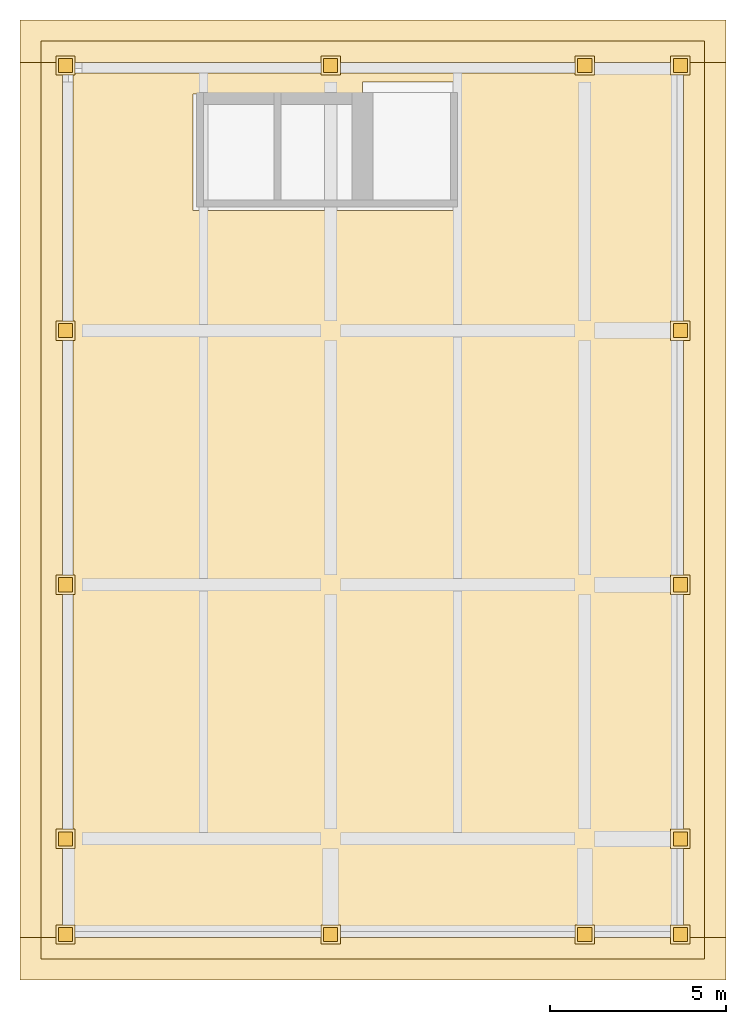
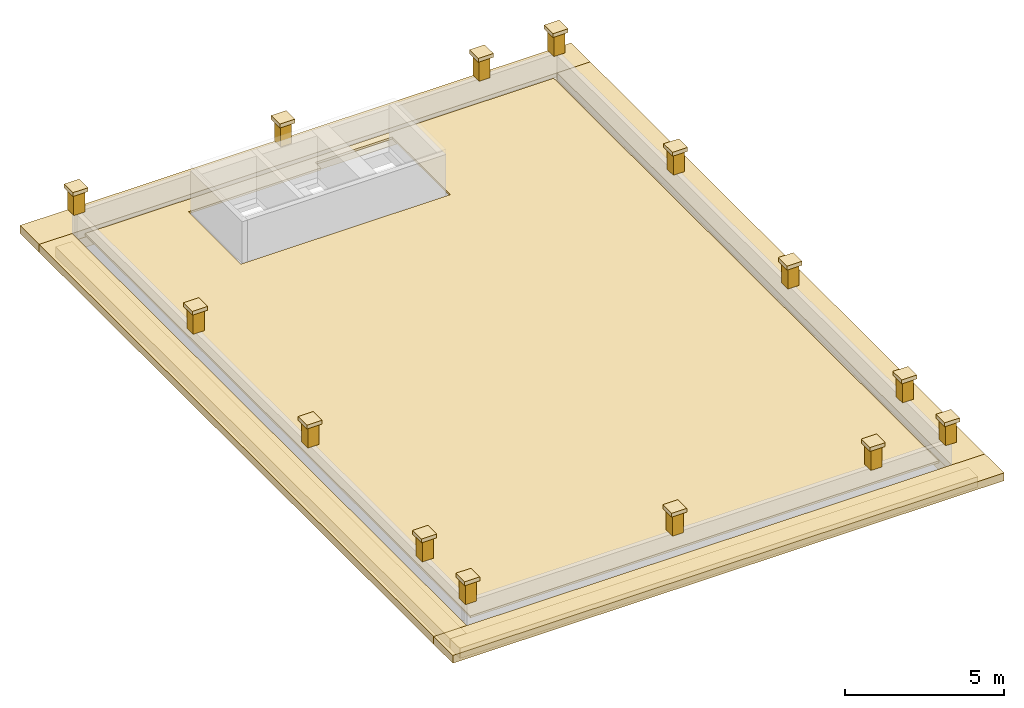
# One storey, part 2 of 2: 37 coverings.
"""IFC4 building model written with IfcOpenShell, lengths in metres."""

from ifc_helpers import new_model, si_unit, direction, frame, origin, origin_2d, place, context, subcontext, project, spatial, polyline, rectangle, outline, extrude, material, layer, layer_set, type_object, element, save


model = new_model("IFC4")

# Units and contexts
model_context = context("Model", 3, precision=1e-05, world=origin(), true_north=direction((0.0, 1.0)))
body_context = subcontext(model_context, "Body", "Model", "MODEL_VIEW")
ifc_project = project(units=[si_unit("LENGTHUNIT", "METRE"), si_unit("AREAUNIT", "SQUARE_METRE"), si_unit("VOLUMEUNIT", "CUBIC_METRE"), si_unit("PLANEANGLEUNIT", "RADIAN"), si_unit("MASSUNIT", "GRAM", prefix="KILO")], contexts=[model_context])

# Site, building, storey
site_placement = place(None, origin())
site = spatial("IfcSite", under=ifc_project, at=site_placement, CompositionType="ELEMENT")
building_placement = place(site_placement, origin())
building = spatial("IfcBuilding", under=site, at=building_placement, Name="Ussher Court Research Institute", CompositionType="ELEMENT")
storey_placement = place(building_placement, frame((0.0, 0.0, 45.60009765625)))
storey = spatial("IfcBuildingStorey", under=building, at=storey_placement, Name="ROOF", CompositionType="ELEMENT", Elevation=45.60009765625)

# Coverings
ifc_material_1 = material(Name="Limestone cornice", Category="masonry")
covering_type_1 = type_object("IfcCoveringType", Name="Cornice cove 600x400", PredefinedType="CLADDING", material=ifc_material_1)
covering_1_placement = place(storey_placement, frame((90.60009765625, 8.10009765625, -0.699951171875), z_axis=(0.0, 0.0, 1.0), x_axis=(1.0, 0.0, 0.0)))
element("IfcCovering", 1, at=covering_1_placement, inside=storey, type_object=covering_type_1, Name="Cornice CC2", PredefinedType="CLADDING", context=body_context, shape_type="SweptSolid", body=[
    extrude(rectangle(XDim=18.800048828125, YDim=0.60009765625, at=origin_2d()), origin(), (0.0, 0.0, 1.0), 0.39990234375),
])
covering_2_placement = place(storey_placement, frame((99.699951171875, 20.800048828125, -0.699951171875), z_axis=(0.0, 0.0, 1.0), x_axis=(0.0, 1.0, 0.0)))
element("IfcCovering", 2, at=covering_2_placement, inside=storey, type_object=covering_type_1, Name="Cornice CC2", PredefinedType="CLADDING", context=body_context, shape_type="SweptSolid", body=[
    extrude(rectangle(XDim=24.800048828125, YDim=0.60009765625, at=origin_2d()), origin(), (0.0, 0.0, 1.0), 0.39990234375),
])
covering_3_placement = place(storey_placement, frame((90.60009765625, 33.5, -0.699951171875), z_axis=(0.0, 0.0, 1.0), x_axis=(-1.0, 0.0, 0.0)))
element("IfcCovering", 3, at=covering_3_placement, inside=storey, type_object=covering_type_1, Name="Cornice CC2", PredefinedType="CLADDING", context=body_context, shape_type="SweptSolid", body=[
    extrude(rectangle(XDim=18.800048828125, YDim=0.60009765625, at=origin_2d()), origin(), (0.0, 0.0, 1.0), 0.39990234375),
])
covering_4_placement = place(storey_placement, frame((81.5, 20.800048828125, -0.699951171875), z_axis=(0.0, 0.0, 1.0), x_axis=(0.0, -1.0, 0.0)))
element("IfcCovering", 4, at=covering_4_placement, inside=storey, type_object=covering_type_1, Name="Cornice CC2", PredefinedType="CLADDING", context=body_context, shape_type="SweptSolid", body=[
    extrude(rectangle(XDim=24.800048828125, YDim=0.60009765625, at=origin_2d()), origin(), (0.0, 0.0, 1.0), 0.39990234375),
])
ifc_material_2 = material(Name="Limestone cornice", Category="masonry")
covering_type_2 = type_object("IfcCoveringType", Name="Cornice fascia 1200x300", PredefinedType="CLADDING", material=ifc_material_2)
covering_5_placement = place(storey_placement, frame((90.60009765625, 7.800048828125, -0.30029296875), z_axis=(0.0, 0.0, 1.0), x_axis=(1.0, 0.0, 0.0)))
element("IfcCovering", 5, at=covering_5_placement, inside=storey, type_object=covering_type_2, Name="Cornice CC1", PredefinedType="CLADDING", context=body_context, shape_type="SweptSolid", body=[
    extrude(rectangle(XDim=20.0, YDim=1.199951171875, at=origin_2d()), origin(), (0.0, 0.0, 1.0), 0.300048828125),
])
covering_6_placement = place(storey_placement, frame((100.0, 20.800048828125, -0.30029296875), z_axis=(0.0, 0.0, 1.0), x_axis=(0.0, 1.0, 0.0)))
element("IfcCovering", 6, at=covering_6_placement, inside=storey, type_object=covering_type_2, Name="Cornice CC1", PredefinedType="CLADDING", context=body_context, shape_type="SweptSolid", body=[
    extrude(rectangle(XDim=24.800048828125, YDim=1.199951171875, at=origin_2d()), origin(), (0.0, 0.0, 1.0), 0.300048828125),
])
covering_7_placement = place(storey_placement, frame((90.60009765625, 33.800048828125, -0.30029296875), z_axis=(0.0, 0.0, 1.0), x_axis=(-1.0, 0.0, 0.0)))
element("IfcCovering", 7, at=covering_7_placement, inside=storey, type_object=covering_type_2, Name="Cornice CC1", PredefinedType="CLADDING", context=body_context, shape_type="SweptSolid", body=[
    extrude(rectangle(XDim=20.0, YDim=1.199951171875, at=origin_2d()), origin(), (0.0, 0.0, 1.0), 0.300048828125),
])
covering_8_placement = place(storey_placement, frame((81.199951171875, 20.800048828125, -0.30029296875), z_axis=(0.0, 0.0, 1.0), x_axis=(0.0, -1.0, 0.0)))
element("IfcCovering", 8, at=covering_8_placement, inside=storey, type_object=covering_type_2, Name="Cornice CC1", PredefinedType="CLADDING", context=body_context, shape_type="SweptSolid", body=[
    extrude(rectangle(XDim=24.800048828125, YDim=1.199951171875, at=origin_2d()), origin(), (0.0, 0.0, 1.0), 0.300048828125),
])
ifc_material_3 = material(Name="Bituminous membrane with gravel ballast")
ifc_layer = layer(ifc_material_3, 0.080078125)
ifc_layer_set = layer_set([ifc_layer], Name="Bituminous membrane with gravel ballast")
covering_type_3 = type_object("IfcCoveringType", Name="Flat roof membrane and ballast 80", PredefinedType="ROOFING", material=ifc_layer_set)
covering_9_placement = place(storey_placement, origin())
element("IfcCovering", 9, at=covering_9_placement, inside=storey, type_object=covering_type_3, Name="Roof covering RC3 V4", PredefinedType="ROOFING", context=body_context, shape_type="SweptSolid", body=[
    extrude(outline(polyline([(82.10009765625, 8.699951171875), (82.10009765625, 32.89990234375), (99.10009765625, 32.89990234375), (99.10009765625, 8.699951171875), (82.10009765625, 8.699951171875)]), holes=[polyline([(85.5, 29.0), (87.699951171875, 29.0), (88.10009765625, 29.0), (90.300048828125, 29.0), (93.10009765625, 29.0), (93.10009765625, 32.64990234375), (90.300048828125, 32.64990234375), (90.300048828125, 32.300048828125), (88.10009765625, 32.300048828125), (87.699951171875, 32.300048828125), (85.5, 32.300048828125), (85.5, 29.0)])]), origin(), (0.0, 0.0, 1.0), 0.079833984375),
])
ifc_material_4 = material(Name="Limestone cornice", Category="masonry")
covering_type_4 = type_object("IfcCoveringType", Name="Parapet pier 400x400", PredefinedType="CLADDING", material=ifc_material_4)
for number, where, z_axis, x_axis, name in (
    (10, (81.889892578125, 8.489990234375, 0.89990234375), (0.0, 0.0, 1.0), (1.0, 0.0, 0.0), "Parapet pier CC11"),
    (11, (81.889892578125, 11.199951171875, 0.89990234375), (0.0, 0.0, 1.0), (1.0, 0.0, 0.0), "Parapet pier CC11"),
    (12, (81.889892578125, 18.39990234375, 0.89990234375), (0.0, 0.0, 1.0), (1.0, 0.0, 0.0), "Parapet pier CC11"),
    (13, (81.889892578125, 25.60009765625, 0.89990234375), (0.0, 0.0, 1.0), (1.0, 0.0, 0.0), "Parapet pier CC11"),
    (14, (81.889892578125, 33.110107421875, 0.89990234375), (0.0, 0.0, 1.0), (1.0, 0.0, 0.0), "Parapet pier CC11"),
    (15, (89.39990234375, 8.489990234375, 0.89990234375), (0.0, 0.0, 1.0), (1.0, 0.0, 0.0), "Parapet pier CC11"),
    (16, (89.39990234375, 33.110107421875, 0.89990234375), (0.0, 0.0, 1.0), (1.0, 0.0, 0.0), "Parapet pier CC11"),
    (17, (96.60009765625, 8.489990234375, 0.89990234375), (0.0, 0.0, 1.0), (1.0, 0.0, 0.0), "Parapet pier CC11"),
    (18, (96.60009765625, 33.110107421875, 0.89990234375), (0.0, 0.0, 1.0), (1.0, 0.0, 0.0), "Parapet pier CC11"),
    (19, (99.31005859375, 8.489990234375, 0.89990234375), (0.0, 0.0, 1.0), (1.0, 0.0, 0.0), "Parapet pier CC11"),
    (20, (99.31005859375, 11.199951171875, 0.89990234375), (0.0, 0.0, 1.0), (1.0, 0.0, 0.0), "Parapet pier CC11"),
    (21, (99.31005859375, 18.39990234375, 0.89990234375), (0.0, 0.0, 1.0), (1.0, 0.0, 0.0), "Parapet pier CC11"),
    (22, (99.31005859375, 25.60009765625, 0.89990234375), (0.0, 0.0, 1.0), (1.0, 0.0, 0.0), "Parapet pier CC11"),
    (23, (99.31005859375, 33.110107421875, 0.89990234375), (0.0, 0.0, 1.0), (1.0, 0.0, 0.0), "Parapet pier CC11"),
):
    element("IfcCovering", number, at=place(storey_placement, frame(where, z_axis=z_axis, x_axis=x_axis)), inside=storey, type_object=covering_type_4, Name=name, PredefinedType="CLADDING", context=body_context, shape_type="SweptSolid", body=[
        extrude(rectangle(XDim=0.39990234375, YDim=0.39990234375, at=origin_2d()), origin(), (0.0, 0.0, 1.0), 0.800048828125),
    ])
ifc_material_5 = material(Name="Limestone cornice", Category="masonry")
covering_type_5 = type_object("IfcCoveringType", Name="Pier cap 550x150", PredefinedType="CLADDING", material=ifc_material_5)
for number, where, z_axis, x_axis, name in (
    (24, (81.889892578125, 8.489990234375, 1.699951171875), (0.0, 0.0, 1.0), (1.0, 0.0, 0.0), "Pier cap CC12"),
    (25, (81.889892578125, 11.199951171875, 1.699951171875), (0.0, 0.0, 1.0), (1.0, 0.0, 0.0), "Pier cap CC12"),
    (26, (81.889892578125, 18.39990234375, 1.699951171875), (0.0, 0.0, 1.0), (1.0, 0.0, 0.0), "Pier cap CC12"),
    (27, (81.889892578125, 25.60009765625, 1.699951171875), (0.0, 0.0, 1.0), (1.0, 0.0, 0.0), "Pier cap CC12"),
    (28, (81.889892578125, 33.110107421875, 1.699951171875), (0.0, 0.0, 1.0), (1.0, 0.0, 0.0), "Pier cap CC12"),
    (29, (89.39990234375, 8.489990234375, 1.699951171875), (0.0, 0.0, 1.0), (1.0, 0.0, 0.0), "Pier cap CC12"),
    (30, (89.39990234375, 33.110107421875, 1.699951171875), (0.0, 0.0, 1.0), (1.0, 0.0, 0.0), "Pier cap CC12"),
    (31, (96.60009765625, 8.489990234375, 1.699951171875), (0.0, 0.0, 1.0), (1.0, 0.0, 0.0), "Pier cap CC12"),
    (32, (96.60009765625, 33.110107421875, 1.699951171875), (0.0, 0.0, 1.0), (1.0, 0.0, 0.0), "Pier cap CC12"),
    (33, (99.31005859375, 8.489990234375, 1.699951171875), (0.0, 0.0, 1.0), (1.0, 0.0, 0.0), "Pier cap CC12"),
    (34, (99.31005859375, 11.199951171875, 1.699951171875), (0.0, 0.0, 1.0), (1.0, 0.0, 0.0), "Pier cap CC12"),
    (35, (99.31005859375, 18.39990234375, 1.699951171875), (0.0, 0.0, 1.0), (1.0, 0.0, 0.0), "Pier cap CC12"),
    (36, (99.31005859375, 25.60009765625, 1.699951171875), (0.0, 0.0, 1.0), (1.0, 0.0, 0.0), "Pier cap CC12"),
    (37, (99.31005859375, 33.110107421875, 1.699951171875), (0.0, 0.0, 1.0), (1.0, 0.0, 0.0), "Pier cap CC12"),
):
    element("IfcCovering", number, at=place(storey_placement, frame(where, z_axis=z_axis, x_axis=x_axis)), inside=storey, type_object=covering_type_5, Name=name, PredefinedType="CLADDING", context=body_context, shape_type="SweptSolid", body=[
        extrude(rectangle(XDim=0.550048828125, YDim=0.550048828125, at=origin_2d()), origin(), (0.0, 0.0, 1.0), 0.14990234375),
    ])

save(model, "model.ifc")
